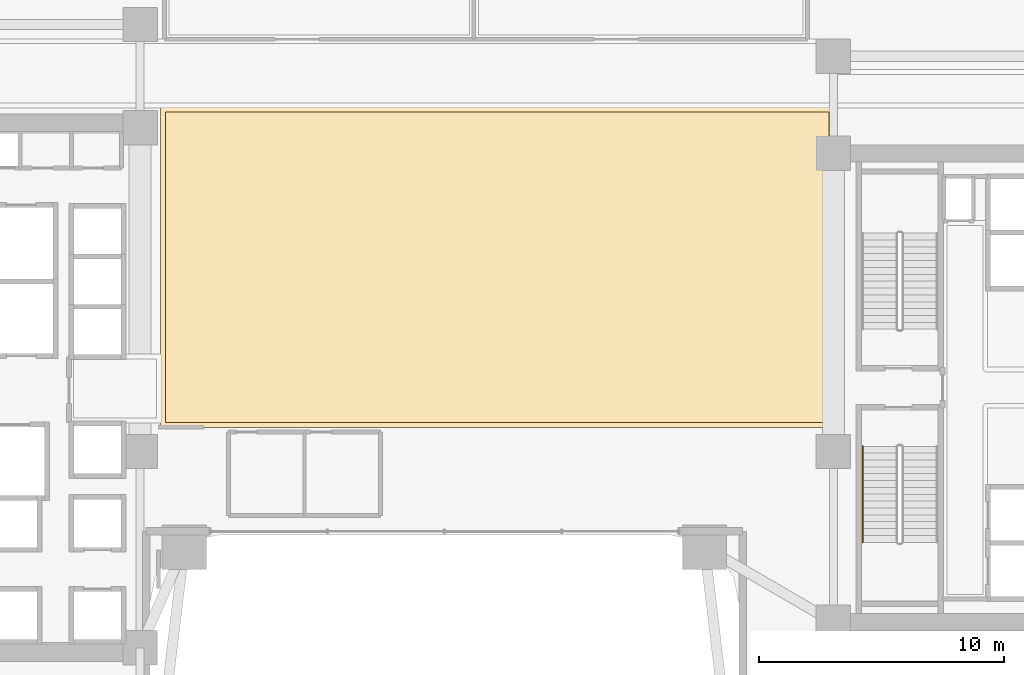
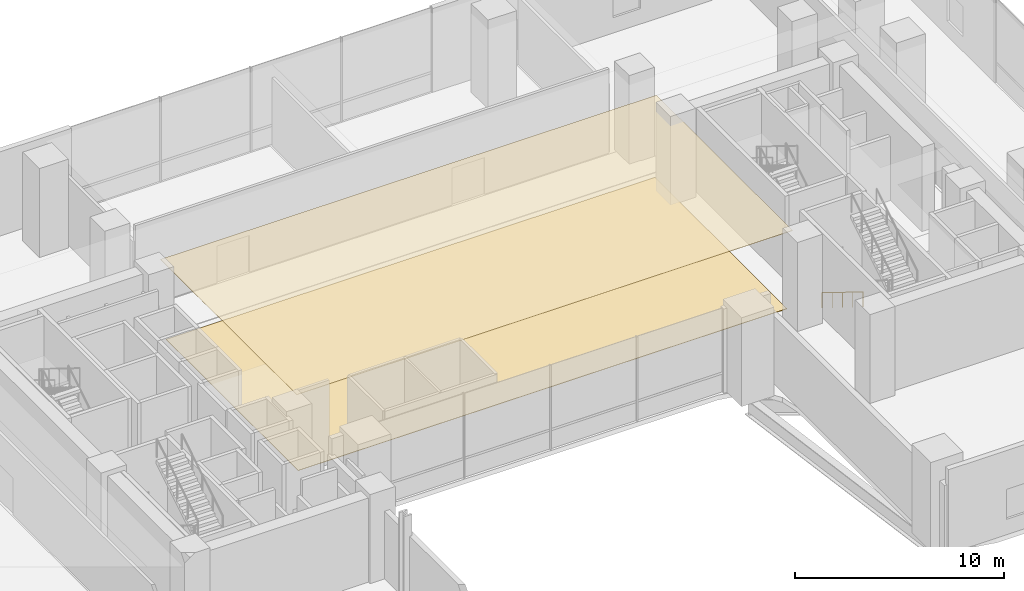
# One storey, part 34 of 39: 2 coverings, 1 railing.
"""IFC4 building model written with IfcOpenShell, lengths in metres."""

from ifc_helpers import new_model, si_unit, direction, frame, origin, origin_2d, place, context, subcontext, project, spatial, polyline, circle, outline, extrude, material, layer, layer_set, type_object, element, save


model = new_model("IFC4")

# Units and contexts
model_context = context("Model", 3, precision=1e-05, world=origin(), true_north=direction((0.0, 1.0)))
body_context = subcontext(model_context, "Body", "Model", "MODEL_VIEW")
ifc_project = project(units=[si_unit("LENGTHUNIT", "METRE"), si_unit("AREAUNIT", "SQUARE_METRE"), si_unit("VOLUMEUNIT", "CUBIC_METRE"), si_unit("PLANEANGLEUNIT", "RADIAN"), si_unit("MASSUNIT", "GRAM", prefix="KILO")], contexts=[model_context])

# Site, building, storey
site_placement = place(None, origin())
site = spatial("IfcSite", under=ifc_project, at=site_placement, CompositionType="ELEMENT")
building_placement = place(site_placement, origin())
building = spatial("IfcBuilding", under=site, at=building_placement, Name="Valdorenza Pilgrim Sanctuary Tower", CompositionType="ELEMENT")
storey_placement = place(building_placement, frame((0.0, 0.0, 5.199951171875)))
storey = spatial("IfcBuildingStorey", under=building, at=storey_placement, Name="L01", CompositionType="ELEMENT", Elevation=5.199951171875)

# Coverings
ifc_material_1 = material(Name="Micro-perforated acoustic mineral ceiling tile", Category="gypsum")
ifc_layer_1 = layer(ifc_material_1, 0.02490234375, Name="Micro-perforated acoustic mineral ceiling tile")
ifc_layer_set_1 = layer_set([ifc_layer_1], Name="Micro-perforated acoustic mineral ceiling tile")
covering_type_1 = type_object("IfcCoveringType", Name="COV-CLG-ACU", PredefinedType="CEILING", material=ifc_layer_set_1)
covering_1_placement = place(storey_placement, frame((0.0, 0.0, 4.6201171875)))
element("IfcCovering", 1, at=covering_1_placement, inside=storey, type_object=covering_type_1, Name="L01 L01 Podium Central Concourse Acoustic Ceiling", PredefinedType="CEILING", context=body_context, shape_type="SweptSolid", body=[
    extrude(outline(polyline([(-11.56298828125, -1.41455078125), (-11.56298828125, 1.344482421875), (-11.56298828125, 1.3447265625), (-11.563720703125, 1.34619140625), (-11.564208984375, 1.347412109375), (-11.564697265625, 1.34912109375), (-11.56494140625, 1.3505859375), (-11.56494140625, 1.35205078125), (-11.56494140625, 7.447998046875), (-11.56494140625, 7.449462890625), (-11.564697265625, 7.45068359375), (-11.564453125, 7.4521484375), (-11.56396484375, 7.45361328125), (-11.563232421875, 7.454833984375), (-11.56298828125, 7.455322265625), (-11.56298828125, 8.944580078125), (-11.56298828125, 8.944580078125), (-11.563720703125, 8.946044921875), (-11.564208984375, 8.947509765625), (-11.564697265625, 8.948974609375), (-11.56494140625, 8.950439453125), (-11.56494140625, 8.951904296875), (-11.56494140625, 11.41796875), (-11.56494140625, 11.41943359375), (-11.564697265625, 11.4208984375), (-11.564453125, 11.42236328125), (-11.56396484375, 11.423583984375), (-11.563232421875, 11.425048828125), (-11.5625, 11.42626953125), (-11.5615234375, 11.427490234375), (-11.560546875, 11.4287109375), (-11.5595703125, 11.4296875), (-11.558349609375, 11.430419921875), (-11.55712890625, 11.43115234375), (-11.5556640625, 11.431884765625), (-11.554443359375, 11.432373046875), (-11.552978515625, 11.4326171875), (-11.551513671875, 11.432861328125), (-11.550048828125, 11.43310546875), (15.85009765625, 11.43310546875), (15.8515625, 11.432861328125), (15.852783203125, 11.4326171875), (15.8544921875, 11.432373046875), (15.855712890625, 11.431884765625), (15.857177734375, 11.43115234375), (15.8583984375, 11.430419921875), (15.859619140625, 11.4296875), (15.860595703125, 11.4287109375), (15.861572265625, 11.427490234375), (15.862548828125, 11.42626953125), (15.86328125, 11.425048828125), (15.864013671875, 11.423583984375), (15.864501953125, 11.42236328125), (15.86474609375, 11.4208984375), (15.864990234375, 11.41943359375), (15.864990234375, 11.41796875), (15.864990234375, 0.822021484375), (15.864990234375, 0.820556640625), (15.86474609375, 0.819091796875), (15.864501953125, 0.81787109375), (15.864013671875, 0.81640625), (15.86328125, 0.815185546875), (15.863037109375, 0.814697265625), (15.863037109375, -0.814697265625), (15.86328125, -0.815185546875), (15.864013671875, -0.81640625), (15.864501953125, -0.81787109375), (15.86474609375, -0.819091796875), (15.864990234375, -0.820556640625), (15.864990234375, -0.822021484375), (15.864990234375, -1.60009765625), (15.864990234375, -1.6015625), (15.86474609375, -1.602783203125), (15.864501953125, -1.6044921875), (15.864013671875, -1.605712890625), (15.86328125, -1.607177734375), (15.862548828125, -1.6083984375), (15.861572265625, -1.609619140625), (15.860595703125, -1.610595703125), (15.859619140625, -1.611572265625), (15.8583984375, -1.612548828125), (15.857177734375, -1.61328125), (15.855712890625, -1.614013671875), (15.8544921875, -1.614501953125), (15.852783203125, -1.61474609375), (15.8515625, -1.614990234375), (15.85009765625, -1.614990234375), (-11.550048828125, -1.614990234375), (-11.551513671875, -1.614990234375), (-11.552978515625, -1.61474609375), (-11.554443359375, -1.614501953125), (-11.5556640625, -1.614013671875), (-11.55712890625, -1.61328125), (-11.558349609375, -1.612548828125), (-11.5595703125, -1.611572265625), (-11.560546875, -1.610595703125), (-11.5615234375, -1.609619140625), (-11.5625, -1.6083984375), (-11.563232421875, -1.607177734375), (-11.56396484375, -1.605712890625), (-11.564453125, -1.6044921875), (-11.564697265625, -1.602783203125), (-11.56494140625, -1.6015625), (-11.56494140625, -1.60009765625), (-11.56494140625, -1.422119140625), (-11.56494140625, -1.42041015625), (-11.564697265625, -1.4189453125), (-11.564208984375, -1.41748046875), (-11.563720703125, -1.416015625), (-11.56298828125, -1.414794921875), (-11.56298828125, -1.41455078125)])), origin(), (0.0, 0.0, 1.0), 0.02490234375),
])
ifc_material_2 = material(Name="Honed travertine stone flooring", Category="masonry")
ifc_layer_2 = layer(ifc_material_2, 0.030029296875, Name="Honed travertine stone flooring")
ifc_layer_set_2 = layer_set([ifc_layer_2], Name="Honed travertine stone flooring")
covering_type_2 = type_object("IfcCoveringType", Name="COV-FLR-TRV", PredefinedType="FLOORING", material=ifc_layer_set_2)
covering_2_placement = place(storey_placement, origin())
element("IfcCovering", 2, at=covering_2_placement, inside=storey, type_object=covering_type_2, Name="L01 L01 Podium Central Concourse Flooring", PredefinedType="FLOORING", context=body_context, shape_type="SweptSolid", body=[
    extrude(outline(polyline([(-11.367919921875, -1.419921875), (-11.367919921875, -1.419921875), (-11.367919921875, 1.35009765625), (-11.3701171875, 7.423095703125), (-11.3701171875, 7.423095703125), (-11.3701171875, 7.42333984375), (-11.3681640625, 7.44091796875), (-11.3681640625, 7.441162109375), (-11.367919921875, 7.449951171875), (-11.367919921875, 8.949951171875), (-11.369873046875, 11.238037109375), (15.669921875, 11.238037109375), (15.669921875, 0.846923828125), (15.669921875, 0.8466796875), (15.669921875, 0.8466796875), (15.668212890625, 0.8291015625), (15.668212890625, 0.828857421875), (15.66796875, 0.820068359375), (15.66796875, -0.820068359375), (15.66796875, -0.820556640625), (15.66943359375, -1.419921875), (-11.367919921875, -1.419921875)])), origin(), (0.0, 0.0, 1.0), 0.025146484375),
])

# Railing
ifc_material_3 = material(Name="Brushed stainless steel Grade 316", Category="steel")
railing_type = type_object("IfcRailingType", Name="RLG-HND-920", PredefinedType="HANDRAIL", material=ifc_material_3)
railing_placement = place(storey_placement, frame((17.050048828125, -2.3798828125, 0.17333984375)))
element("IfcRailing", 3, at=railing_placement, inside=storey, type_object=railing_type, Name="L01 ST-B2 stair handrail 1", PredefinedType="HANDRAIL", context=body_context, shape_type="SweptSolid", body=[
    extrude(circle(Radius=0.02392578125, at=origin_2d()), frame((0.0, 0.0, 0.8759765625), z_axis=(0.0, -0.850266275192, 0.526352791643), x_axis=(1.0, 0.0, 0.0)), (0.0, 0.0, 1.0), 4.610595703125),
    extrude(circle(Radius=0.02099609375, at=origin_2d()), origin(), (0.0, 0.0, 1.0), 0.851806640625),
    extrude(circle(Radius=0.02099609375, at=origin_2d()), frame((0.0, -0.97998046875, 0.606689453125)), (0.0, 0.0, 1.0), 0.851806640625),
    extrude(circle(Radius=0.02099609375, at=origin_2d()), frame((0.0, -1.9599609375, 1.21337890625)), (0.0, 0.0, 1.0), 0.851806640625),
    extrude(circle(Radius=0.02099609375, at=origin_2d()), frame((0.0, -2.940185546875, 1.820068359375)), (0.0, 0.0, 1.0), 0.851806640625),
    extrude(circle(Radius=0.02099609375, at=origin_2d()), frame((0.0, -3.920166015625, 2.4267578125)), (0.0, 0.0, 1.0), 0.851806640625),
])

save(model, "model.ifc")
